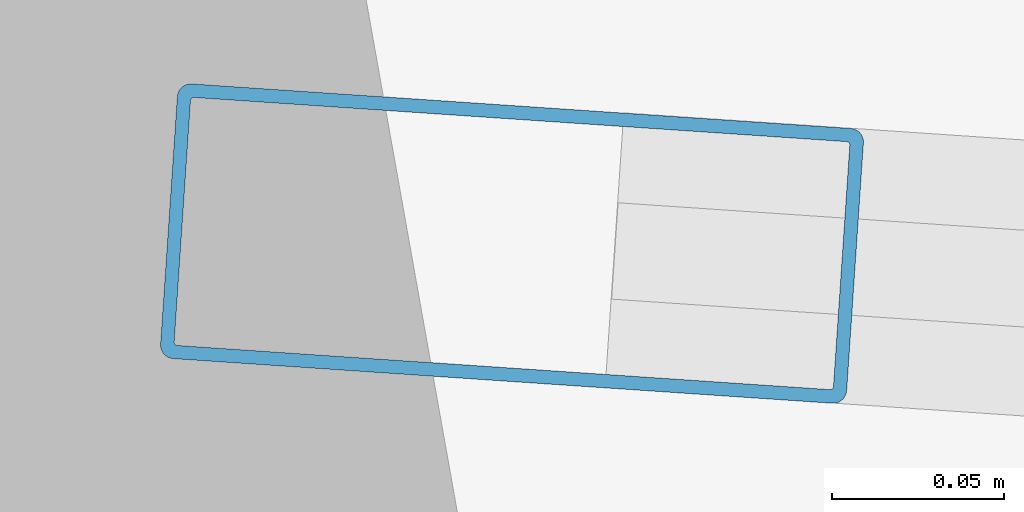
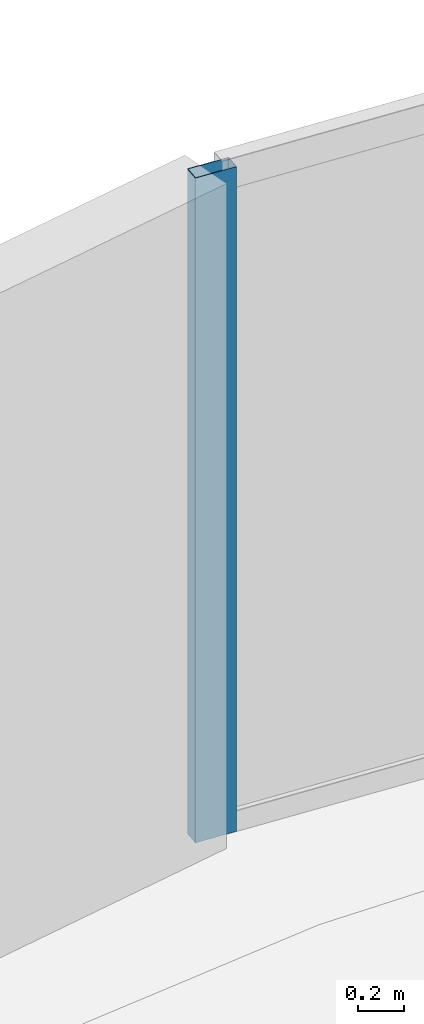
# One storey, part 11 of 18: 1 member, 1 element without a shape of its own.
"""IFC4 building model written with IfcOpenShell, lengths in metres."""

from ifc_helpers import new_model, si_unit, direction, frame, origin, origin_2d, place, context, subcontext, project, spatial, hollow_rectangle, extrude, material, layer, layer_set, material_profile, profile_set, type_object, element, aggregate, save


model = new_model("IFC4")

# Units and contexts
model_context = context("Model", 3, precision=1e-05, world=origin(), true_north=direction((0.0, 1.0)))
body_context = subcontext(model_context, "Body", "Model", "MODEL_VIEW")
ifc_project = project(units=[si_unit("LENGTHUNIT", "METRE"), si_unit("AREAUNIT", "SQUARE_METRE"), si_unit("VOLUMEUNIT", "CUBIC_METRE"), si_unit("PLANEANGLEUNIT", "RADIAN"), si_unit("MASSUNIT", "GRAM", prefix="KILO")], contexts=[model_context])

# Site, building, storey
site_placement = place(None, origin())
site = spatial("IfcSite", under=ifc_project, at=site_placement, CompositionType="ELEMENT")
building_placement = place(site_placement, origin())
building = spatial("IfcBuilding", under=site, at=building_placement, Name="Bramvorn Convention Spire", CompositionType="ELEMENT")
storey_placement = place(building_placement, frame((0.0, 0.0, 232.800048828125)))
storey = spatial("IfcBuildingStorey", under=building, at=storey_placement, Name="L59", CompositionType="ELEMENT", Elevation=232.800048828125)

# Curtain wall, member
ifc_material_1 = material(Name="Anodised Bronze Unitised Curtain Wall", Category="aluminium")
ifc_layer = layer(ifc_material_1, 0.179931640625)
ifc_layer_set = layer_set([ifc_layer], Name="Anodised Bronze Unitised Curtain Wall - CW-OFF-FRIT")
curtain_wall_type = type_object("IfcCurtainWallType", Name="CW-OFF-FRIT", PredefinedType="USERDEFINED", material=ifc_layer_set)
curtain_wall_placement = place(storey_placement, origin())
curtain_wall = element("IfcCurtainWall", 1, at=curtain_wall_placement, inside=storey, type_object=curtain_wall_type, Name="L59 fritted glass curtain wall 10", ObjectType="UNITISED CURTAIN WALL", PredefinedType="USERDEFINED")
ifc_material_2 = material(Name="Anodised Bronze Aluminium 6063-T6", Category="aluminium")
ifc_material_profile = material_profile(ifc_material_2, hollow_rectangle(XDim=0.080078125, YDim=0.199951171875, WallThickness=0.00390625, InnerFilletRadius=0.0009765625, OuterFilletRadius=0.00390625, at=origin_2d()))
ifc_profile_set = profile_set([ifc_material_profile], Name="Anodised Bronze Aluminium 6063-T6 - CWM80X200")
member_type = type_object("IfcMemberType", Name="CW-MUL-180", PredefinedType="MULLION", material=ifc_profile_set)
member_placement = place(storey_placement, frame((31.233642578125, 49.1533203125, 0.0), z_axis=(0.0, 0.0, 1.0), x_axis=(0.06750287005, 0.997719079969, 0.0)))
member = element("IfcMember", 2, at=member_placement, type_object=member_type, Name="CW3 mullion 1", PredefinedType="MULLION", context=body_context, shape_type="SweptSolid", body=[
    extrude(hollow_rectangle(XDim=0.080078125, YDim=0.199951171875, WallThickness=0.00390625, InnerFilletRadius=0.0009765625, OuterFilletRadius=0.00390625, at=origin_2d()), origin(), (0.0, 0.0, 1.0), 3.5),
])
aggregate(curtain_wall, [member])

save(model, "model.ifc")
